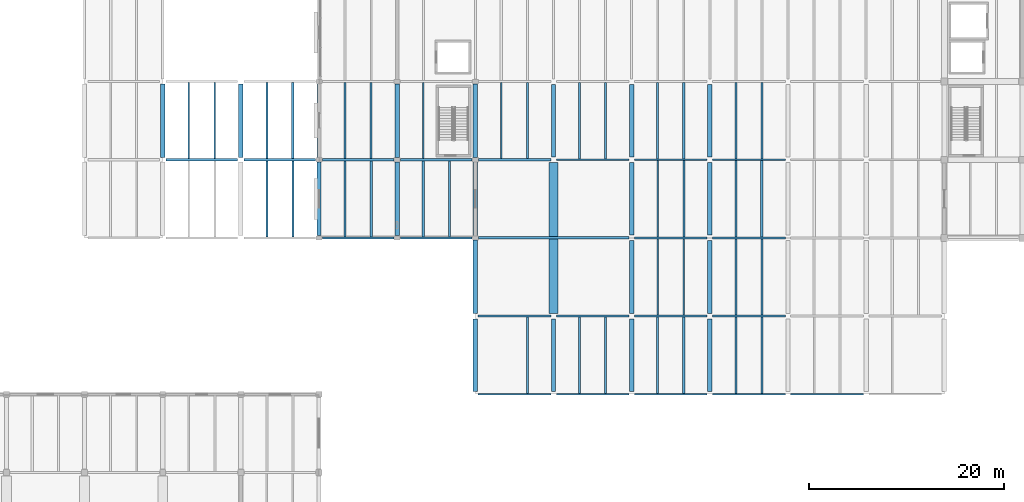
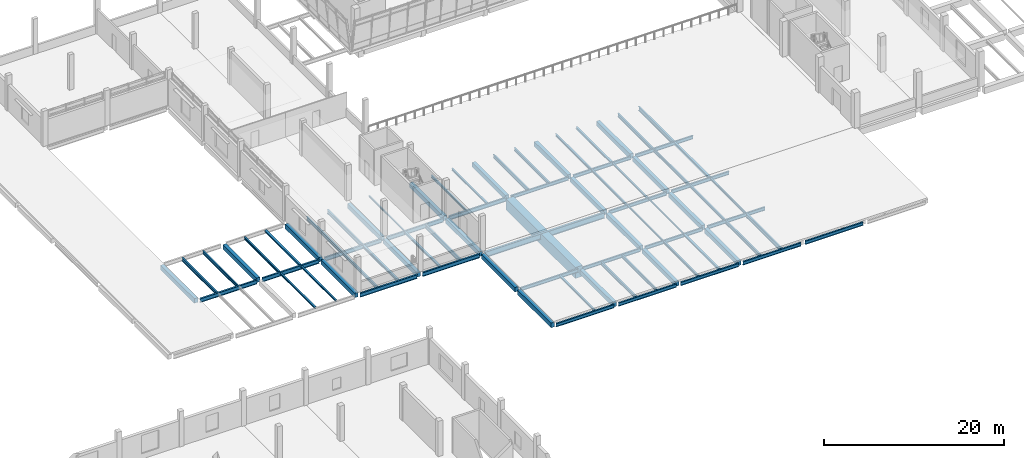
# One storey, part 4 of 52: 79 beams.
"""IFC4 building model written with IfcOpenShell, lengths in metres."""

from ifc_helpers import new_model, si_unit, direction, frame, origin, origin_2d, place, context, subcontext, project, spatial, rectangle, i_section, extrude, material, material_profile, profile_set, type_object, element, save


model = new_model("IFC4")

# Units and contexts
model_context = context("Model", 3, precision=1e-05, world=origin(), true_north=direction((0.0, 1.0)))
body_context = subcontext(model_context, "Body", "Model", "MODEL_VIEW")
ifc_project = project(units=[si_unit("LENGTHUNIT", "METRE"), si_unit("AREAUNIT", "SQUARE_METRE"), si_unit("VOLUMEUNIT", "CUBIC_METRE"), si_unit("PLANEANGLEUNIT", "RADIAN"), si_unit("MASSUNIT", "GRAM", prefix="KILO")], contexts=[model_context])

# Site, building, storey
site_placement = place(None, origin())
site = spatial("IfcSite", under=ifc_project, at=site_placement, CompositionType="ELEMENT")
building_placement = place(site_placement, origin())
building = spatial("IfcBuilding", under=site, at=building_placement, Name="Pecanmere Concourse Central Library", CompositionType="ELEMENT")
storey_placement = place(building_placement, frame((0.0, 0.0, 10.5)))
storey = spatial("IfcBuildingStorey", under=building, at=storey_placement, Name="L03", CompositionType="ELEMENT", Elevation=10.5)

# Beams
ifc_material_1 = material(Name="Concrete C40/50", Category="concrete")
ifc_material_profile_1 = material_profile(ifc_material_1, rectangle(XDim=0.43994140625, YDim=0.6201171875, at=origin_2d()), Name="RC 440x620")
ifc_profile_set_1 = profile_set([ifc_material_profile_1], Name="Concrete C40/50")
beam_type_1 = type_object("IfcBeamType", Name="GRD_440x620", PredefinedType="USERDEFINED", material=ifc_profile_set_1)
for number, where, z_axis, x_axis, name in (
    (1, (32.0, 56.239990234375, -0.64990234375), (0.0, 1.0, 0.0), (-1.0, 0.0, 0.0), "Primary Girder Y L03-1683"),
    (2, (40.0, 56.239990234375, -0.64990234375), (0.0, 1.0, 0.0), (-1.0, 0.0, 0.0), "Primary Girder Y L03-1694"),
    (3, (48.0, 48.239990234375, -0.64990234375), (0.0, 1.0, 0.0), (-1.0, 0.0, 0.0), "Primary Girder Y L03-1701"),
    (4, (48.0, 56.239990234375, -0.64990234375), (0.0, 1.0, 0.0), (-1.0, 0.0, 0.0), "Primary Girder Y L03-1702"),
    (5, (56.0, 48.239990234375, -0.64990234375), (0.0, 1.0, 0.0), (-1.0, 0.0, 0.0), "Primary Girder Y L03-1708"),
    (6, (56.0, 56.239990234375, -0.64990234375), (0.0, 1.0, 0.0), (-1.0, 0.0, 0.0), "Primary Girder Y L03-1709"),
):
    element("IfcBeam", number, at=place(storey_placement, frame(where, z_axis=z_axis, x_axis=x_axis)), inside=storey, type_object=beam_type_1, Name=name, ObjectType="GIRDER", PredefinedType="USERDEFINED", context=body_context, shape_type="SweptSolid", body=[
        extrude(rectangle(XDim=0.43994140625, YDim=0.6201171875, at=origin_2d()), origin(), (0.0, 0.0, 1.0), 7.52001953125),
    ])
beam_1_placement = place(storey_placement, frame((64.0, 32.280029296875, -0.64990234375), z_axis=(0.0, 1.0, 0.0), x_axis=(-1.0, 0.0, 0.0)))
element("IfcBeam", 7, at=beam_1_placement, inside=storey, type_object=beam_type_1, Name="Primary Girder Y L03-1715", ObjectType="GIRDER", PredefinedType="USERDEFINED", context=body_context, shape_type="SweptSolid", body=[
    extrude(rectangle(XDim=0.43994140625, YDim=0.6201171875, at=origin_2d()), origin(), (0.0, 0.0, 1.0), 7.43994140625),
])
beam_2_placement = place(storey_placement, frame((64.0, 40.280029296875, -0.64990234375), z_axis=(0.0, 1.0, 0.0), x_axis=(-1.0, 0.0, 0.0)))
element("IfcBeam", 8, at=beam_2_placement, inside=storey, type_object=beam_type_1, Name="Primary Girder Y L03-1716", ObjectType="GIRDER", PredefinedType="USERDEFINED", context=body_context, shape_type="SweptSolid", body=[
    extrude(rectangle(XDim=0.43994140625, YDim=0.6201171875, at=origin_2d()), origin(), (0.0, 0.0, 1.0), 7.47998046875),
])
for number, where, z_axis, x_axis, name in (
    (9, (64.0, 48.239990234375, -0.64990234375), (0.0, 1.0, 0.0), (-1.0, 0.0, 0.0), "Primary Girder Y L03-1717"),
    (10, (64.0, 56.239990234375, -0.64990234375), (0.0, 1.0, 0.0), (-1.0, 0.0, 0.0), "Primary Girder Y L03-1718"),
):
    element("IfcBeam", number, at=place(storey_placement, frame(where, z_axis=z_axis, x_axis=x_axis)), inside=storey, type_object=beam_type_1, Name=name, ObjectType="GIRDER", PredefinedType="USERDEFINED", context=body_context, shape_type="SweptSolid", body=[
        extrude(rectangle(XDim=0.43994140625, YDim=0.6201171875, at=origin_2d()), origin(), (0.0, 0.0, 1.0), 7.52001953125),
    ])
for number, where, z_axis, x_axis, name in (
    (11, (72.0, 32.280029296875, -0.64990234375), (0.0, 1.0, 0.0), (-1.0, 0.0, 0.0), "Primary Girder Y L03-1724"),
    (12, (72.0, 56.280029296875, -0.64990234375), (0.0, 1.0, 0.0), (-1.0, 0.0, 0.0), "Primary Girder Y L03-1726"),
    (13, (80.0, 32.280029296875, -0.64990234375), (0.0, 1.0, 0.0), (-1.0, 0.0, 0.0), "Primary Girder Y L03-1732"),
    (14, (80.0, 40.280029296875, -0.64990234375), (0.0, 1.0, 0.0), (-1.0, 0.0, 0.0), "Primary Girder Y L03-1733"),
    (15, (80.0, 48.280029296875, -0.64990234375), (0.0, 1.0, 0.0), (-1.0, 0.0, 0.0), "Primary Girder Y L03-1734"),
    (16, (80.0, 56.280029296875, -0.64990234375), (0.0, 1.0, 0.0), (-1.0, 0.0, 0.0), "Primary Girder Y L03-1735"),
    (17, (88.0, 32.280029296875, -0.64990234375), (0.0, 1.0, 0.0), (-1.0, 0.0, 0.0), "Primary Girder Y L03-1741"),
    (18, (88.0, 40.280029296875, -0.64990234375), (0.0, 1.0, 0.0), (-1.0, 0.0, 0.0), "Primary Girder Y L03-1742"),
    (19, (88.0, 48.280029296875, -0.64990234375), (0.0, 1.0, 0.0), (-1.0, 0.0, 0.0), "Primary Girder Y L03-1743"),
    (20, (88.0, 56.280029296875, -0.64990234375), (0.0, 1.0, 0.0), (-1.0, 0.0, 0.0), "Primary Girder Y L03-1744"),
):
    element("IfcBeam", number, at=place(storey_placement, frame(where, z_axis=z_axis, x_axis=x_axis)), inside=storey, type_object=beam_type_1, Name=name, ObjectType="GIRDER", PredefinedType="USERDEFINED", context=body_context, shape_type="SweptSolid", body=[
        extrude(rectangle(XDim=0.43994140625, YDim=0.6201171875, at=origin_2d()), origin(), (0.0, 0.0, 1.0), 7.43994140625),
    ])
ifc_material_2 = material(Name="Structural steel ASTM A992 Grade 50", Category="steel")
ifc_material_profile_2 = material_profile(ifc_material_2, i_section(OverallWidth=0.152099609375, OverallDepth=0.152099609375, WebThickness=0.005859375, FlangeThickness=0.006591796875, at=origin_2d()), Name="W150x22.5")
ifc_profile_set_2 = profile_set([ifc_material_profile_2], Name="Structural steel ASTM A992 Grade 50")
beam_type_2 = type_object("IfcBeamType", Name="SBM_W150x22", PredefinedType="LINTEL", material=ifc_profile_set_2)
beam_3_placement = place(storey_placement, frame((58.666748046875, 56.10546875, -0.416015625), z_axis=(0.0, 1.0, 0.0), x_axis=(-1.0, 0.0, 0.0)))
element("IfcBeam", 21, at=beam_3_placement, inside=storey, type_object=beam_type_2, Name="Secondary Floor Joist L03-1922", PredefinedType="LINTEL", context=body_context, shape_type="SweptSolid", body=[
    extrude(i_section(OverallWidth=0.152099609375, OverallDepth=0.152099609375, WebThickness=0.005859375, FlangeThickness=0.006591796875, at=origin_2d()), origin(), (0.0, 0.0, 1.0), 7.7890625),
])
beam_4_placement = place(storey_placement, frame((85.333251953125, 40.096923828125, -0.416015625), z_axis=(0.0, 1.0, 0.0), x_axis=(-1.0, 0.0, 0.0)))
element("IfcBeam", 22, at=beam_4_placement, inside=storey, type_object=beam_type_2, Name="Secondary Floor Joist L03-1953", PredefinedType="LINTEL", context=body_context, shape_type="SweptSolid", body=[
    extrude(i_section(OverallWidth=0.152099609375, OverallDepth=0.152099609375, WebThickness=0.005859375, FlangeThickness=0.006591796875, at=origin_2d()), origin(), (0.0, 0.0, 1.0), 7.80615234375),
])
ifc_material_3 = material(Name="Structural steel ASTM A992 Grade 50", Category="steel")
ifc_material_profile_3 = material_profile(ifc_material_3, i_section(OverallWidth=0.1650390625, OverallDepth=0.200927734375, WebThickness=0.006103515625, FlangeThickness=0.01025390625, at=origin_2d()), Name="W200x35.9")
ifc_profile_set_3 = profile_set([ifc_material_profile_3], Name="Structural steel ASTM A992 Grade 50")
beam_type_3 = type_object("IfcBeamType", Name="SBM_W200x36", PredefinedType="LINTEL", material=ifc_profile_set_3)
beam_5_placement = place(storey_placement, frame((82.666748046875, 40.096923828125, -0.4404296875), z_axis=(0.0, 1.0, 0.0), x_axis=(-1.0, 0.0, 0.0)))
element("IfcBeam", 23, at=beam_5_placement, inside=storey, type_object=beam_type_3, Name="Secondary Floor Joist L03-1952", PredefinedType="LINTEL", context=body_context, shape_type="SweptSolid", body=[
    extrude(i_section(OverallWidth=0.1650390625, OverallDepth=0.200927734375, WebThickness=0.006103515625, FlangeThickness=0.01025390625, at=origin_2d()), origin(), (0.0, 0.0, 1.0), 7.80615234375),
])
ifc_material_4 = material(Name="Structural steel ASTM A992 Grade 50", Category="steel")
ifc_material_profile_4 = material_profile(ifc_material_4, i_section(OverallWidth=0.2041015625, OverallDepth=0.2060546875, WebThickness=0.0078125, FlangeThickness=0.0126953125, at=origin_2d()), Name="W200x52")
ifc_profile_set_4 = profile_set([ifc_material_profile_4], Name="Structural steel ASTM A992 Grade 50")
beam_type_4 = type_object("IfcBeamType", Name="SBM_W200x52", PredefinedType="JOIST", material=ifc_profile_set_4)
beam_6_placement = place(storey_placement, frame((45.333251953125, 48.10546875, -0.443115234375), z_axis=(0.0, 1.0, 0.0), x_axis=(-1.0, 0.0, 0.0)))
element("IfcBeam", 24, at=beam_6_placement, inside=storey, type_object=beam_type_4, Name="Secondary Floor Joist L03-1899", PredefinedType="JOIST", context=body_context, shape_type="SweptSolid", body=[
    extrude(i_section(OverallWidth=0.2041015625, OverallDepth=0.2060546875, WebThickness=0.0078125, FlangeThickness=0.0126953125, at=origin_2d()), origin(), (0.0, 0.0, 1.0), 7.7890625),
])
beam_7_placement = place(storey_placement, frame((85.333251953125, 48.096923828125, -0.443115234375), z_axis=(0.0, 1.0, 0.0), x_axis=(-1.0, 0.0, 0.0)))
element("IfcBeam", 25, at=beam_7_placement, inside=storey, type_object=beam_type_4, Name="Secondary Floor Joist L03-1955", PredefinedType="JOIST", context=body_context, shape_type="SweptSolid", body=[
    extrude(i_section(OverallWidth=0.2041015625, OverallDepth=0.2060546875, WebThickness=0.0078125, FlangeThickness=0.0126953125, at=origin_2d()), origin(), (0.0, 0.0, 1.0), 7.80615234375),
])
ifc_material_5 = material(Name="Structural steel ASTM A992 Grade 50", Category="steel")
ifc_material_profile_5 = material_profile(ifc_material_5, i_section(OverallWidth=0.201904296875, OverallDepth=0.2470703125, WebThickness=0.00732421875, FlangeThickness=0.010986328125, at=origin_2d()), Name="W250x49.1")
ifc_profile_set_5 = profile_set([ifc_material_profile_5], Name="Structural steel ASTM A992 Grade 50")
beam_type_5 = type_object("IfcBeamType", Name="SBM_W250x49", PredefinedType="JOIST", material=ifc_profile_set_5)
beam_8_placement = place(storey_placement, frame((42.666748046875, 48.10546875, -0.46337890625), z_axis=(0.0, 1.0, 0.0), x_axis=(-1.0, 0.0, 0.0)))
element("IfcBeam", 26, at=beam_8_placement, inside=storey, type_object=beam_type_5, Name="Secondary Floor Joist L03-1898", PredefinedType="JOIST", context=body_context, shape_type="SweptSolid", body=[
    extrude(i_section(OverallWidth=0.201904296875, OverallDepth=0.2470703125, WebThickness=0.00732421875, FlangeThickness=0.010986328125, at=origin_2d()), origin(), (0.0, 0.0, 1.0), 7.7890625),
])
beam_9_placement = place(storey_placement, frame((69.333251953125, 32.096923828125, -0.46337890625), z_axis=(0.0, 1.0, 0.0), x_axis=(-1.0, 0.0, 0.0)))
element("IfcBeam", 27, at=beam_9_placement, inside=storey, type_object=beam_type_5, Name="Secondary Floor Joist L03-1932", PredefinedType="JOIST", context=body_context, shape_type="SweptSolid", body=[
    extrude(i_section(OverallWidth=0.201904296875, OverallDepth=0.2470703125, WebThickness=0.00732421875, FlangeThickness=0.010986328125, at=origin_2d()), origin(), (0.0, 0.0, 1.0), 7.80615234375),
])
beam_10_placement = place(storey_placement, frame((69.333251953125, 56.10546875, -0.46337890625), z_axis=(0.0, 1.0, 0.0), x_axis=(-1.0, 0.0, 0.0)))
element("IfcBeam", 28, at=beam_10_placement, inside=storey, type_object=beam_type_5, Name="Secondary Floor Joist L03-1934", PredefinedType="JOIST", context=body_context, shape_type="SweptSolid", body=[
    extrude(i_section(OverallWidth=0.201904296875, OverallDepth=0.2470703125, WebThickness=0.00732421875, FlangeThickness=0.010986328125, at=origin_2d()), origin(), (0.0, 0.0, 1.0), 7.7890625),
])
beam_11_placement = place(storey_placement, frame((82.666748046875, 48.096923828125, -0.46337890625), z_axis=(0.0, 1.0, 0.0), x_axis=(-1.0, 0.0, 0.0)))
element("IfcBeam", 29, at=beam_11_placement, inside=storey, type_object=beam_type_5, Name="Secondary Floor Joist L03-1954", PredefinedType="JOIST", context=body_context, shape_type="SweptSolid", body=[
    extrude(i_section(OverallWidth=0.201904296875, OverallDepth=0.2470703125, WebThickness=0.00732421875, FlangeThickness=0.010986328125, at=origin_2d()), origin(), (0.0, 0.0, 1.0), 7.80615234375),
])
ifc_material_6 = material(Name="Structural steel ASTM A992 Grade 50", Category="steel")
ifc_material_profile_6 = material_profile(ifc_material_6, i_section(OverallWidth=0.25390625, OverallDepth=0.2529296875, WebThickness=0.008544921875, FlangeThickness=0.01416015625, at=origin_2d()), Name="W250x73")
ifc_profile_set_6 = profile_set([ifc_material_profile_6], Name="Structural steel ASTM A992 Grade 50")
beam_type_6 = type_object("IfcBeamType", Name="SBM_W250x73", PredefinedType="BEAM", material=ifc_profile_set_6)
for number, where, z_axis, x_axis, name in (
    (30, (45.333251953125, 56.10546875, -0.466552734375), (0.0, 1.0, 0.0), (-1.0, 0.0, 0.0), "Secondary Floor Joist L03-1901"),
    (31, (58.666748046875, 48.10546875, -0.466552734375), (0.0, 1.0, 0.0), (-1.0, 0.0, 0.0), "Secondary Floor Joist L03-1920"),
):
    element("IfcBeam", number, at=place(storey_placement, frame(where, z_axis=z_axis, x_axis=x_axis)), inside=storey, type_object=beam_type_6, Name=name, PredefinedType="BEAM", context=body_context, shape_type="SweptSolid", body=[
        extrude(i_section(OverallWidth=0.25390625, OverallDepth=0.2529296875, WebThickness=0.008544921875, FlangeThickness=0.01416015625, at=origin_2d()), origin(), (0.0, 0.0, 1.0), 7.7890625),
    ])
for number, where, z_axis, x_axis, name in (
    (32, (85.333251953125, 32.096923828125, -0.466552734375), (0.0, 1.0, 0.0), (-1.0, 0.0, 0.0), "Secondary Floor Joist L03-1951"),
    (33, (85.333251953125, 56.096923828125, -0.466552734375), (0.0, 1.0, 0.0), (-1.0, 0.0, 0.0), "Secondary Floor Joist L03-1957"),
):
    element("IfcBeam", number, at=place(storey_placement, frame(where, z_axis=z_axis, x_axis=x_axis)), inside=storey, type_object=beam_type_6, Name=name, PredefinedType="BEAM", context=body_context, shape_type="SweptSolid", body=[
        extrude(i_section(OverallWidth=0.25390625, OverallDepth=0.2529296875, WebThickness=0.008544921875, FlangeThickness=0.01416015625, at=origin_2d()), origin(), (0.0, 0.0, 1.0), 7.80615234375),
    ])
ifc_material_7 = material(Name="Structural steel ASTM A992 Grade 50", Category="steel")
ifc_material_profile_7 = material_profile(ifc_material_7, i_section(OverallWidth=0.1669921875, OverallDepth=0.31689453125, WebThickness=0.007568359375, FlangeThickness=0.01318359375, at=origin_2d()), Name="W310x52")
ifc_profile_set_7 = profile_set([ifc_material_profile_7], Name="Structural steel ASTM A992 Grade 50")
beam_type_7 = type_object("IfcBeamType", Name="SBM_W310x52", PredefinedType="JOIST", material=ifc_profile_set_7)
beam_12_placement = place(storey_placement, frame((66.666748046875, 56.10546875, -0.49853515625), z_axis=(0.0, 1.0, 0.0), x_axis=(-1.0, 0.0, 0.0)))
element("IfcBeam", 34, at=beam_12_placement, inside=storey, type_object=beam_type_7, Name="Secondary Floor Joist L03-1933", PredefinedType="JOIST", context=body_context, shape_type="SweptSolid", body=[
    extrude(i_section(OverallWidth=0.1669921875, OverallDepth=0.31689453125, WebThickness=0.007568359375, FlangeThickness=0.01318359375, at=origin_2d()), origin(), (0.0, 0.0, 1.0), 7.7890625),
])
beam_13_placement = place(storey_placement, frame((93.333251953125, 40.096923828125, -0.49853515625), z_axis=(0.0, 1.0, 0.0), x_axis=(-1.0, 0.0, 0.0)))
element("IfcBeam", 35, at=beam_13_placement, inside=storey, type_object=beam_type_7, Name="Secondary Floor Joist L03-1967", PredefinedType="JOIST", context=body_context, shape_type="SweptSolid", body=[
    extrude(i_section(OverallWidth=0.1669921875, OverallDepth=0.31689453125, WebThickness=0.007568359375, FlangeThickness=0.01318359375, at=origin_2d()), origin(), (0.0, 0.0, 1.0), 7.80615234375),
])
ifc_material_8 = material(Name="Structural steel ASTM A992 Grade 50", Category="steel")
ifc_material_profile_8 = material_profile(ifc_material_8, i_section(OverallWidth=0.205078125, OverallDepth=0.31005859375, WebThickness=0.009521484375, FlangeThickness=0.016357421875, at=origin_2d()), Name="W310x74")
ifc_profile_set_8 = profile_set([ifc_material_profile_8], Name="Structural steel ASTM A992 Grade 50")
beam_type_8 = type_object("IfcBeamType", Name="SBM_W310x74", PredefinedType="BEAM", material=ifc_profile_set_8)
beam_14_placement = place(storey_placement, frame((42.666748046875, 56.10546875, -0.4951171875), z_axis=(0.0, 1.0, 0.0), x_axis=(-1.0, 0.0, 0.0)))
element("IfcBeam", 36, at=beam_14_placement, inside=storey, type_object=beam_type_8, Name="Secondary Floor Joist L03-1900", PredefinedType="BEAM", context=body_context, shape_type="SweptSolid", body=[
    extrude(i_section(OverallWidth=0.205078125, OverallDepth=0.31005859375, WebThickness=0.009521484375, FlangeThickness=0.016357421875, at=origin_2d()), origin(), (0.0, 0.0, 1.0), 7.7890625),
])
for number, where, z_axis, x_axis, name in (
    (37, (82.666748046875, 32.096923828125, -0.4951171875), (0.0, 1.0, 0.0), (-1.0, 0.0, 0.0), "Secondary Floor Joist L03-1950"),
    (38, (82.666748046875, 56.096923828125, -0.4951171875), (0.0, 1.0, 0.0), (-1.0, 0.0, 0.0), "Secondary Floor Joist L03-1956"),
):
    element("IfcBeam", number, at=place(storey_placement, frame(where, z_axis=z_axis, x_axis=x_axis)), inside=storey, type_object=beam_type_8, Name=name, PredefinedType="BEAM", context=body_context, shape_type="SweptSolid", body=[
        extrude(i_section(OverallWidth=0.205078125, OverallDepth=0.31005859375, WebThickness=0.009521484375, FlangeThickness=0.016357421875, at=origin_2d()), origin(), (0.0, 0.0, 1.0), 7.80615234375),
    ])
ifc_material_9 = material(Name="Structural steel ASTM A992 Grade 50", Category="steel")
ifc_material_profile_9 = material_profile(ifc_material_9, i_section(OverallWidth=0.202880859375, OverallDepth=0.346923828125, WebThickness=0.0078125, FlangeThickness=0.013427734375, at=origin_2d()), Name="W360x64")
ifc_profile_set_9 = profile_set([ifc_material_profile_9], Name="Structural steel ASTM A992 Grade 50")
beam_type_9 = type_object("IfcBeamType", Name="SBM_W360x64", PredefinedType="JOIST", material=ifc_profile_set_9)
beam_15_placement = place(storey_placement, frame((90.666748046875, 40.096923828125, -0.513427734375), z_axis=(0.0, 1.0, 0.0), x_axis=(-1.0, 0.0, 0.0)))
element("IfcBeam", 39, at=beam_15_placement, inside=storey, type_object=beam_type_9, Name="Secondary Floor Joist L03-1966", PredefinedType="JOIST", context=body_context, shape_type="SweptSolid", body=[
    extrude(i_section(OverallWidth=0.202880859375, OverallDepth=0.346923828125, WebThickness=0.0078125, FlangeThickness=0.013427734375, at=origin_2d()), origin(), (0.0, 0.0, 1.0), 7.80615234375),
])
ifc_material_10 = material(Name="Structural steel ASTM A992 Grade 50", Category="steel")
ifc_material_profile_10 = material_profile(ifc_material_10, i_section(OverallWidth=0.25390625, OverallDepth=0.35302734375, WebThickness=0.009521484375, FlangeThickness=0.016357421875, at=origin_2d()), Name="W360x91")
ifc_profile_set_10 = profile_set([ifc_material_profile_10], Name="Structural steel ASTM A992 Grade 50")
beam_type_10 = type_object("IfcBeamType", Name="SBM_W360x91", PredefinedType="BEAM", material=ifc_profile_set_10)
beam_16_placement = place(storey_placement, frame((53.333251953125, 48.10546875, -0.5166015625), z_axis=(0.0, 1.0, 0.0), x_axis=(-1.0, 0.0, 0.0)))
element("IfcBeam", 40, at=beam_16_placement, inside=storey, type_object=beam_type_10, Name="Secondary Floor Joist L03-1907", PredefinedType="BEAM", context=body_context, shape_type="SweptSolid", body=[
    extrude(i_section(OverallWidth=0.25390625, OverallDepth=0.35302734375, WebThickness=0.009521484375, FlangeThickness=0.016357421875, at=origin_2d()), origin(), (0.0, 0.0, 1.0), 7.7890625),
])
beam_17_placement = place(storey_placement, frame((93.333251953125, 48.096923828125, -0.5166015625), z_axis=(0.0, 1.0, 0.0), x_axis=(-1.0, 0.0, 0.0)))
element("IfcBeam", 41, at=beam_17_placement, inside=storey, type_object=beam_type_10, Name="Secondary Floor Joist L03-1969", PredefinedType="BEAM", context=body_context, shape_type="SweptSolid", body=[
    extrude(i_section(OverallWidth=0.25390625, OverallDepth=0.35302734375, WebThickness=0.009521484375, FlangeThickness=0.016357421875, at=origin_2d()), origin(), (0.0, 0.0, 1.0), 7.80615234375),
])
ifc_material_11 = material(Name="Structural steel ASTM A992 Grade 50", Category="steel")
ifc_material_profile_11 = material_profile(ifc_material_11, i_section(OverallWidth=0.180908203125, OverallDepth=0.4169921875, WebThickness=0.010986328125, FlangeThickness=0.018310546875, at=origin_2d()), Name="W410x85")
ifc_profile_set_11 = profile_set([ifc_material_profile_11], Name="Structural steel ASTM A992 Grade 50")
beam_type_11 = type_object("IfcBeamType", Name="SBM_W410x85", PredefinedType="BEAM", material=ifc_profile_set_11)
for number, where, z_axis, x_axis, name in (
    (42, (37.333251953125, 56.10546875, -0.548583984375), (0.0, 1.0, 0.0), (-1.0, 0.0, 0.0), "Secondary Floor Joist L03-1886"),
    (43, (50.666748046875, 48.10546875, -0.548583984375), (0.0, 1.0, 0.0), (-1.0, 0.0, 0.0), "Secondary Floor Joist L03-1906"),
):
    element("IfcBeam", number, at=place(storey_placement, frame(where, z_axis=z_axis, x_axis=x_axis)), inside=storey, type_object=beam_type_11, Name=name, PredefinedType="BEAM", context=body_context, shape_type="SweptSolid", body=[
        extrude(i_section(OverallWidth=0.180908203125, OverallDepth=0.4169921875, WebThickness=0.010986328125, FlangeThickness=0.018310546875, at=origin_2d()), origin(), (0.0, 0.0, 1.0), 7.7890625),
    ])
for number, where, z_axis, x_axis, name in (
    (44, (77.333251953125, 32.096923828125, -0.548583984375), (0.0, 1.0, 0.0), (-1.0, 0.0, 0.0), "Secondary Floor Joist L03-1940"),
    (45, (77.333251953125, 56.096923828125, -0.548583984375), (0.0, 1.0, 0.0), (-1.0, 0.0, 0.0), "Secondary Floor Joist L03-1942"),
    (46, (90.666748046875, 48.096923828125, -0.548583984375), (0.0, 1.0, 0.0), (-1.0, 0.0, 0.0), "Secondary Floor Joist L03-1968"),
):
    element("IfcBeam", number, at=place(storey_placement, frame(where, z_axis=z_axis, x_axis=x_axis)), inside=storey, type_object=beam_type_11, Name=name, PredefinedType="BEAM", context=body_context, shape_type="SweptSolid", body=[
        extrude(i_section(OverallWidth=0.180908203125, OverallDepth=0.4169921875, WebThickness=0.010986328125, FlangeThickness=0.018310546875, at=origin_2d()), origin(), (0.0, 0.0, 1.0), 7.80615234375),
    ])
ifc_material_12 = material(Name="Structural steel ASTM A992 Grade 50", Category="steel")
ifc_material_profile_12 = material_profile(ifc_material_12, i_section(OverallWidth=0.194091796875, OverallDepth=0.468994140625, WebThickness=0.0126953125, FlangeThickness=0.0205078125, at=origin_2d()), Name="W460x106")
ifc_profile_set_12 = profile_set([ifc_material_profile_12], Name="Structural steel ASTM A992 Grade 50")
beam_type_12 = type_object("IfcBeamType", Name="SBM_W460x106", PredefinedType="USERDEFINED", material=ifc_profile_set_12)
for number, where, z_axis, x_axis, name in (
    (47, (64.280029296875, 32.0, -0.574462890625), (1.0, 0.0, 0.0), (0.0, 1.0, 0.0), "Primary Girder X L03-1523"),
    (48, (72.280029296875, 32.0, -0.574462890625), (1.0, 0.0, 0.0), (0.0, 1.0, 0.0), "Primary Girder X L03-1524"),
    (49, (80.280029296875, 32.0, -0.574462890625), (1.0, 0.0, 0.0), (0.0, 1.0, 0.0), "Primary Girder X L03-1525"),
    (50, (88.280029296875, 32.0, -0.574462890625), (1.0, 0.0, 0.0), (0.0, 1.0, 0.0), "Primary Girder X L03-1526"),
    (51, (96.280029296875, 32.0, -0.574462890625), (1.0, 0.0, 0.0), (0.0, 1.0, 0.0), "Primary Girder X L03-1527"),
    (52, (64.280029296875, 40.0, -0.574462890625), (1.0, 0.0, 0.0), (0.0, 1.0, 0.0), "Primary Girder X L03-1535"),
    (53, (72.280029296875, 40.0, -0.574462890625), (1.0, 0.0, 0.0), (0.0, 1.0, 0.0), "Primary Girder X L03-1536"),
    (54, (80.280029296875, 40.0, -0.574462890625), (1.0, 0.0, 0.0), (0.0, 1.0, 0.0), "Primary Girder X L03-1537"),
    (55, (88.280029296875, 40.0, -0.574462890625), (1.0, 0.0, 0.0), (0.0, 1.0, 0.0), "Primary Girder X L03-1538"),
    (56, (80.280029296875, 48.0, -0.574462890625), (1.0, 0.0, 0.0), (0.0, 1.0, 0.0), "Primary Girder X L03-1547"),
    (57, (88.280029296875, 48.0, -0.574462890625), (1.0, 0.0, 0.0), (0.0, 1.0, 0.0), "Primary Girder X L03-1548"),
    (58, (72.280029296875, 56.0, -0.574462890625), (1.0, 0.0, 0.0), (0.0, 1.0, 0.0), "Primary Girder X L03-1562"),
    (59, (80.280029296875, 56.0, -0.574462890625), (1.0, 0.0, 0.0), (0.0, 1.0, 0.0), "Primary Girder X L03-1563"),
    (60, (88.280029296875, 56.0, -0.574462890625), (1.0, 0.0, 0.0), (0.0, 1.0, 0.0), "Primary Girder X L03-1564"),
):
    element("IfcBeam", number, at=place(storey_placement, frame(where, z_axis=z_axis, x_axis=x_axis)), inside=storey, type_object=beam_type_12, Name=name, ObjectType="GIRDER", PredefinedType="USERDEFINED", context=body_context, shape_type="SweptSolid", body=[
        extrude(i_section(OverallWidth=0.194091796875, OverallDepth=0.468994140625, WebThickness=0.0126953125, FlangeThickness=0.0205078125, at=origin_2d()), origin(), (0.0, 0.0, 1.0), 7.43994140625),
    ])
beam_18_placement = place(storey_placement, frame((50.666748046875, 56.10546875, -0.574462890625), z_axis=(0.0, 1.0, 0.0), x_axis=(-1.0, 0.0, 0.0)))
element("IfcBeam", 61, at=beam_18_placement, inside=storey, type_object=beam_type_12, Name="Secondary Floor Joist L03-1908", ObjectType="GIRDER", PredefinedType="USERDEFINED", context=body_context, shape_type="SweptSolid", body=[
    extrude(i_section(OverallWidth=0.194091796875, OverallDepth=0.468994140625, WebThickness=0.0126953125, FlangeThickness=0.0205078125, at=origin_2d()), origin(), (0.0, 0.0, 1.0), 7.7890625),
])
for number, where, z_axis, x_axis, name in (
    (62, (90.666748046875, 32.096923828125, -0.574462890625), (0.0, 1.0, 0.0), (-1.0, 0.0, 0.0), "Secondary Floor Joist L03-1964"),
    (63, (90.666748046875, 56.096923828125, -0.574462890625), (0.0, 1.0, 0.0), (-1.0, 0.0, 0.0), "Secondary Floor Joist L03-1970"),
):
    element("IfcBeam", number, at=place(storey_placement, frame(where, z_axis=z_axis, x_axis=x_axis)), inside=storey, type_object=beam_type_12, Name=name, ObjectType="GIRDER", PredefinedType="USERDEFINED", context=body_context, shape_type="SweptSolid", body=[
        extrude(i_section(OverallWidth=0.194091796875, OverallDepth=0.468994140625, WebThickness=0.0126953125, FlangeThickness=0.0205078125, at=origin_2d()), origin(), (0.0, 0.0, 1.0), 7.80615234375),
    ])
ifc_material_13 = material(Name="Structural steel ASTM A992 Grade 50", Category="steel")
ifc_material_profile_13 = material_profile(ifc_material_13, i_section(OverallWidth=0.18994140625, OverallDepth=0.45703125, WebThickness=0.009033203125, FlangeThickness=0.014404296875, at=origin_2d()), Name="W460x74")
ifc_profile_set_13 = profile_set([ifc_material_profile_13], Name="Structural steel ASTM A992 Grade 50")
beam_type_13 = type_object("IfcBeamType", Name="SBM_W460x74", PredefinedType="BEAM", material=ifc_profile_set_13)
beam_19_placement = place(storey_placement, frame((34.666748046875, 56.10546875, -0.568603515625), z_axis=(0.0, 1.0, 0.0), x_axis=(-1.0, 0.0, 0.0)))
element("IfcBeam", 64, at=beam_19_placement, inside=storey, type_object=beam_type_13, Name="Secondary Floor Joist L03-1885", PredefinedType="BEAM", context=body_context, shape_type="SweptSolid", body=[
    extrude(i_section(OverallWidth=0.18994140625, OverallDepth=0.45703125, WebThickness=0.009033203125, FlangeThickness=0.014404296875, at=origin_2d()), origin(), (0.0, 0.0, 1.0), 7.7890625),
])
for number, where, z_axis, x_axis, name in (
    (65, (74.666748046875, 32.096923828125, -0.568603515625), (0.0, 1.0, 0.0), (-1.0, 0.0, 0.0), "Secondary Floor Joist L03-1939"),
    (66, (74.666748046875, 56.096923828125, -0.568603515625), (0.0, 1.0, 0.0), (-1.0, 0.0, 0.0), "Secondary Floor Joist L03-1941"),
):
    element("IfcBeam", number, at=place(storey_placement, frame(where, z_axis=z_axis, x_axis=x_axis)), inside=storey, type_object=beam_type_13, Name=name, PredefinedType="BEAM", context=body_context, shape_type="SweptSolid", body=[
        extrude(i_section(OverallWidth=0.18994140625, OverallDepth=0.45703125, WebThickness=0.009033203125, FlangeThickness=0.014404296875, at=origin_2d()), origin(), (0.0, 0.0, 1.0), 7.80615234375),
    ])
ifc_material_14 = material(Name="Structural steel ASTM A992 Grade 50", Category="steel")
ifc_material_profile_14 = material_profile(ifc_material_14, i_section(OverallWidth=0.2109375, OverallDepth=0.5390625, WebThickness=0.01171875, FlangeThickness=0.018798828125, at=origin_2d()), Name="W530x109")
ifc_profile_set_14 = profile_set([ifc_material_profile_14], Name="Structural steel ASTM A992 Grade 50")
beam_type_14 = type_object("IfcBeamType", Name="SBM_W530x109", PredefinedType="USERDEFINED", material=ifc_profile_set_14)
for number, where, z_axis, x_axis, name in (
    (67, (48.340087890625, 48.0, -0.609619140625), (1.0, 0.0, 0.0), (0.0, 1.0, 0.0), "Primary Girder X L03-1544"),
    (68, (56.340087890625, 48.0, -0.609619140625), (1.0, 0.0, 0.0), (0.0, 1.0, 0.0), "Primary Girder X L03-1545"),
    (69, (32.340087890625, 56.0, -0.609619140625), (1.0, 0.0, 0.0), (0.0, 1.0, 0.0), "Primary Girder X L03-1557"),
    (70, (40.340087890625, 56.0, -0.609619140625), (1.0, 0.0, 0.0), (0.0, 1.0, 0.0), "Primary Girder X L03-1558"),
    (71, (48.340087890625, 56.0, -0.609619140625), (1.0, 0.0, 0.0), (0.0, 1.0, 0.0), "Primary Girder X L03-1559"),
    (72, (56.340087890625, 56.0, -0.609619140625), (1.0, 0.0, 0.0), (0.0, 1.0, 0.0), "Primary Girder X L03-1560"),
):
    element("IfcBeam", number, at=place(storey_placement, frame(where, z_axis=z_axis, x_axis=x_axis)), inside=storey, type_object=beam_type_14, Name=name, ObjectType="GIRDER", PredefinedType="USERDEFINED", context=body_context, shape_type="SweptSolid", body=[
        extrude(i_section(OverallWidth=0.2109375, OverallDepth=0.5390625, WebThickness=0.01171875, FlangeThickness=0.018798828125, at=origin_2d()), origin(), (0.0, 0.0, 1.0), 7.31982421875),
    ])
beam_20_placement = place(storey_placement, frame((64.340087890625, 56.0, -0.609619140625), z_axis=(1.0, 0.0, 0.0), x_axis=(0.0, 1.0, 0.0)))
element("IfcBeam", 73, at=beam_20_placement, inside=storey, type_object=beam_type_14, Name="Primary Girder X L03-1561", ObjectType="GIRDER", PredefinedType="USERDEFINED", context=body_context, shape_type="SweptSolid", body=[
    extrude(i_section(OverallWidth=0.2109375, OverallDepth=0.5390625, WebThickness=0.01171875, FlangeThickness=0.018798828125, at=origin_2d()), origin(), (0.0, 0.0, 1.0), 7.3798828125),
])
beam_21_placement = place(storey_placement, frame((53.333251953125, 56.10546875, -0.609619140625), z_axis=(0.0, 1.0, 0.0), x_axis=(-1.0, 0.0, 0.0)))
element("IfcBeam", 74, at=beam_21_placement, inside=storey, type_object=beam_type_14, Name="Secondary Floor Joist L03-1909", ObjectType="GIRDER", PredefinedType="USERDEFINED", context=body_context, shape_type="SweptSolid", body=[
    extrude(i_section(OverallWidth=0.2109375, OverallDepth=0.5390625, WebThickness=0.01171875, FlangeThickness=0.018798828125, at=origin_2d()), origin(), (0.0, 0.0, 1.0), 7.7890625),
])
for number, where, z_axis, x_axis, name in (
    (75, (93.333251953125, 32.096923828125, -0.609619140625), (0.0, 1.0, 0.0), (-1.0, 0.0, 0.0), "Secondary Floor Joist L03-1965"),
    (76, (93.333251953125, 56.096923828125, -0.609619140625), (0.0, 1.0, 0.0), (-1.0, 0.0, 0.0), "Secondary Floor Joist L03-1971"),
):
    element("IfcBeam", number, at=place(storey_placement, frame(where, z_axis=z_axis, x_axis=x_axis)), inside=storey, type_object=beam_type_14, Name=name, ObjectType="GIRDER", PredefinedType="USERDEFINED", context=body_context, shape_type="SweptSolid", body=[
        extrude(i_section(OverallWidth=0.2109375, OverallDepth=0.5390625, WebThickness=0.01171875, FlangeThickness=0.018798828125, at=origin_2d()), origin(), (0.0, 0.0, 1.0), 7.80615234375),
    ])
ifc_material_15 = material(Name="Structural steel ASTM A992 Grade 50", Category="steel")
ifc_material_profile_15 = material_profile(ifc_material_15, i_section(OverallWidth=0.208984375, OverallDepth=0.532958984375, WebThickness=0.01025390625, FlangeThickness=0.015625, at=origin_2d()), Name="W530x92")
ifc_profile_set_15 = profile_set([ifc_material_profile_15], Name="Structural steel ASTM A992 Grade 50")
beam_type_15 = type_object("IfcBeamType", Name="SBM_W530x92", PredefinedType="BEAM", material=ifc_profile_set_15)
beam_22_placement = place(storey_placement, frame((61.333251953125, 48.10546875, -0.6064453125), z_axis=(0.0, 1.0, 0.0), x_axis=(-1.0, 0.0, 0.0)))
element("IfcBeam", 77, at=beam_22_placement, inside=storey, type_object=beam_type_15, Name="Secondary Floor Joist L03-1921", PredefinedType="BEAM", context=body_context, shape_type="SweptSolid", body=[
    extrude(i_section(OverallWidth=0.208984375, OverallDepth=0.532958984375, WebThickness=0.01025390625, FlangeThickness=0.015625, at=origin_2d()), origin(), (0.0, 0.0, 1.0), 7.7890625),
])
ifc_material_16 = material(Name="Structural steel ASTM A992 Grade 50", Category="steel")
ifc_material_profile_16 = material_profile(ifc_material_16, i_section(OverallWidth=0.26708984375, OverallDepth=0.76611328125, WebThickness=0.014892578125, FlangeThickness=0.023681640625, at=origin_2d()), Name="W760x185")
ifc_profile_set_16 = profile_set([ifc_material_profile_16], Name="Structural steel ASTM A992 Grade 50")
beam_type_16 = type_object("IfcBeamType", Name="SBM_W760x185", PredefinedType="USERDEFINED", material=ifc_profile_set_16)
beam_23_placement = place(storey_placement, frame((64.340087890625, 48.0, -0.722900390625), z_axis=(1.0, 0.0, 0.0), x_axis=(0.0, 1.0, 0.0)))
element("IfcBeam", 78, at=beam_23_placement, inside=storey, type_object=beam_type_16, Name="Primary Girder X L03-1546", ObjectType="GIRDER", PredefinedType="USERDEFINED", context=body_context, shape_type="SweptSolid", body=[
    extrude(i_section(OverallWidth=0.26708984375, OverallDepth=0.76611328125, WebThickness=0.014892578125, FlangeThickness=0.023681640625, at=origin_2d()), origin(), (0.0, 0.0, 1.0), 15.3798828125),
])
ifc_material_17 = material(Name="Concrete C40/50", Category="concrete")
ifc_material_profile_17 = material_profile(ifc_material_17, rectangle(XDim=0.949951171875, YDim=1.5, at=origin_2d()), Name="RC 950x1500")
ifc_profile_set_17 = profile_set([ifc_material_profile_17], Name="Concrete C40/50")
beam_type_17 = type_object("IfcBeamType", Name="TG_950x1500", PredefinedType="USERDEFINED", material=ifc_profile_set_17)
beam_24_placement = place(storey_placement, frame((72.0, 40.280029296875, -1.090087890625), z_axis=(0.0, 1.0, 0.0), x_axis=(-1.0, 0.0, 0.0)))
element("IfcBeam", 79, at=beam_24_placement, inside=storey, type_object=beam_type_17, Name="Primary Girder Y L03-1725", ObjectType="GIRDER", PredefinedType="USERDEFINED", context=body_context, shape_type="SweptSolid", body=[
    extrude(rectangle(XDim=0.949951171875, YDim=1.5, at=origin_2d()), origin(), (0.0, 0.0, 1.0), 15.43994140625),
])

save(model, "model.ifc")
